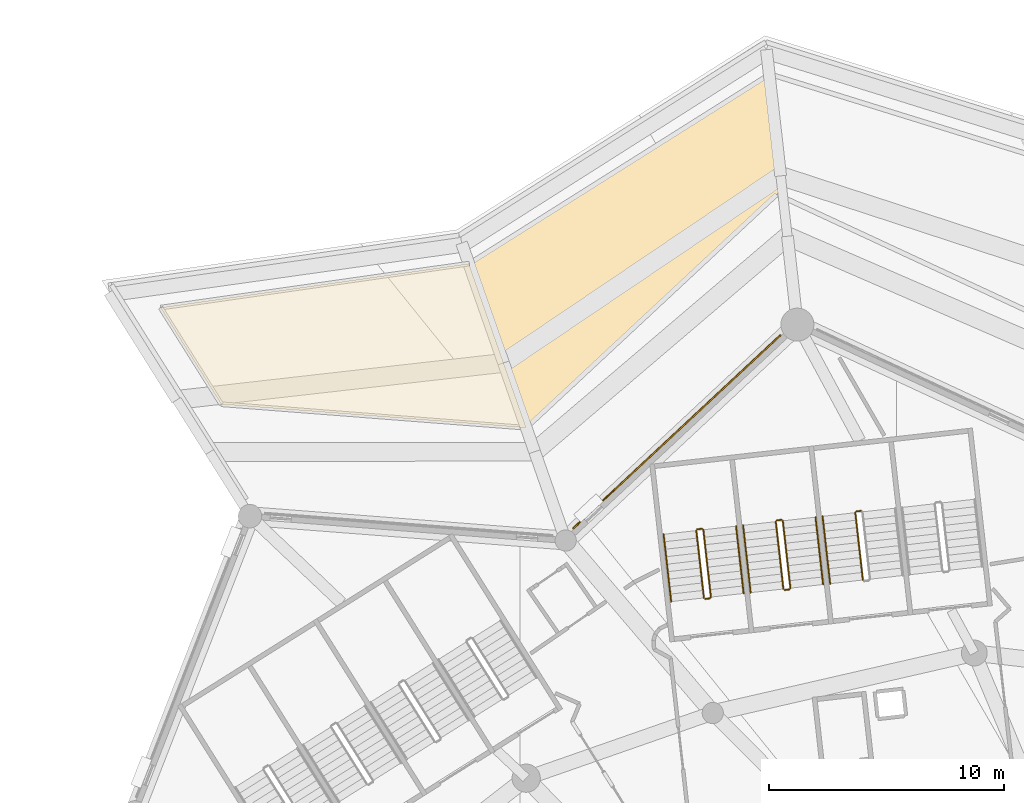
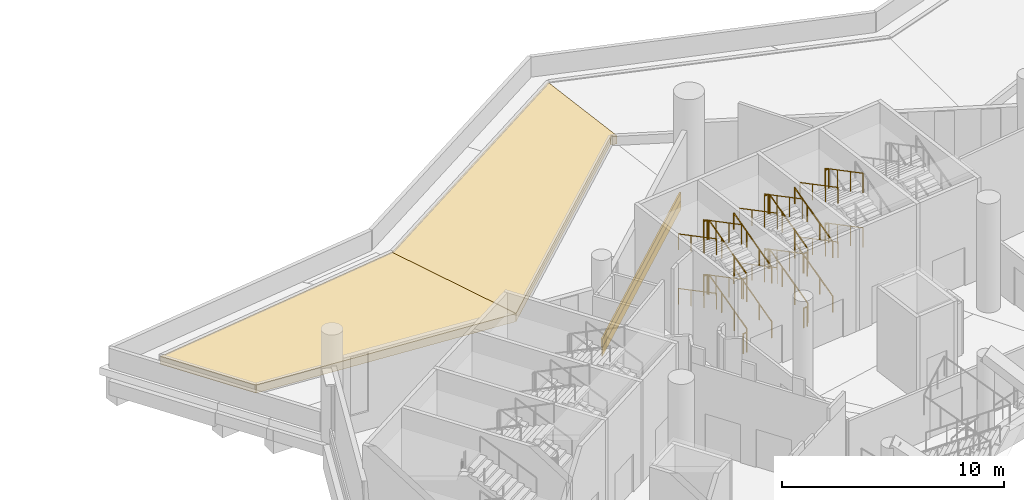
# One storey, part 153 of 173: 30 railings, 4 coverings.
"""IFC4 building model written with IfcOpenShell, lengths in metres."""

from ifc_helpers import new_model, si_unit, direction, frame, origin, origin_2d, place, context, subcontext, project, spatial, polyline, rectangle, circle, outline, extrude, material, layer, layer_set, type_object, element, save


model = new_model("IFC4")

# Units and contexts
model_context = context("Model", 3, precision=1e-05, world=origin(), true_north=direction((0.0, 1.0)))
body_context = subcontext(model_context, "Body", "Model", "MODEL_VIEW")
ifc_project = project(units=[si_unit("LENGTHUNIT", "METRE"), si_unit("AREAUNIT", "SQUARE_METRE"), si_unit("VOLUMEUNIT", "CUBIC_METRE"), si_unit("PLANEANGLEUNIT", "RADIAN"), si_unit("MASSUNIT", "GRAM", prefix="KILO")], contexts=[model_context])

# Site, building, storey
site_placement = place(None, origin())
site = spatial("IfcSite", under=ifc_project, at=site_placement, CompositionType="ELEMENT")
building_placement = place(site_placement, origin())
building = spatial("IfcBuilding", under=site, at=building_placement, Name="Meseta Stadium", CompositionType="ELEMENT")
storey_placement = place(building_placement, frame((0.0, 0.0, 18.0)))
storey = spatial("IfcBuildingStorey", under=building, at=storey_placement, Name="L03", CompositionType="ELEMENT", Elevation=18.0)

# Coverings
ifc_material_1 = material(Name="Guadarrama granite cladding", Category="masonry")
ifc_layer_1 = layer(ifc_material_1, 0.06005859375)
ifc_layer_set_1 = layer_set([ifc_layer_1], Name="Granite plinth cladding 60")
covering_type_1 = type_object("IfcCoveringType", Name="Granite plinth cladding 60", PredefinedType="CLADDING", material=ifc_layer_set_1)
covering_1_placement = place(storey_placement, frame((-57.32421875, 100.490478515625, 0.0), z_axis=(0.0, 0.0, 1.0), x_axis=(0.731545312925, 0.681792824206, 0.0)))
element("IfcCovering", 1, at=covering_1_placement, inside=storey, type_object=covering_type_1, Name="Granite plinth L03 F22", PredefinedType="CLADDING", context=body_context, shape_type="SweptSolid", body=[
    extrude(rectangle(XDim=12.07421875, YDim=0.06005859375, at=origin_2d()), origin(), (0.0, 0.0, 1.0), 0.5),
])
ifc_material_2 = material(Name="Planting soil")
ifc_layer_2 = layer(ifc_material_2, 0.449951171875)
ifc_layer_set_2 = layer_set([ifc_layer_2], Name="Planting soil 450")
covering_type_2 = type_object("IfcCoveringType", Name="Planting soil 450", PredefinedType="FLOORING", material=ifc_layer_set_2)
covering_2_placement = place(storey_placement, origin())
element("IfcCovering", 2, at=covering_2_placement, inside=storey, type_object=covering_type_2, Name="Roof garden planting bed 3.1 panel 01", PredefinedType="FLOORING", context=body_context, shape_type="SweptSolid", body=[
    extrude(outline(polyline([(-63.728759765625, 100.666015625), (-66.17041015625, 107.64404296875), (-79.2734375, 105.773681640625), (-76.692626953125, 101.666259765625), (-63.728759765625, 100.666015625)])), origin(), (0.0, 0.0, 1.0), 0.449951171875),
])
covering_3_placement = place(storey_placement, origin())
element("IfcCovering", 3, at=covering_3_placement, inside=storey, type_object=covering_type_2, Name="Roof garden planting bed 3.1 panel 02", PredefinedType="FLOORING", context=body_context, shape_type="SweptSolid", body=[
    extrude(outline(polyline([(-66.17041015625, 107.64404296875), (-63.728759765625, 100.666015625), (-53.081787109375, 110.589111328125), (-52.8125, 110.4638671875), (-53.400390625, 115.67919921875), (-66.146484375, 107.6474609375), (-66.17041015625, 107.64404296875)])), origin(), (0.0, 0.0, 1.0), 0.449951171875),
])

# Railings
ifc_material_3 = material(Name="Steel S355", Category="steel")
railing_type_1 = type_object("IfcRailingType", Name="Stair guard 1100", PredefinedType="GUARDRAIL", material=ifc_material_3)
railing_1_placement = place(storey_placement, frame((-49.49951171875, 97.134521484375, 1.5)))
element("IfcRailing", 4, at=railing_1_placement, inside=storey, type_object=railing_type_1, Name="ST46 L03 guard 2", PredefinedType="GUARDRAIL", context=body_context, shape_type="SweptSolid", body=[
    extrude(circle(Radius=0.02392578125, at=origin_2d()), frame((0.0, 0.0, 1.076171875), z_axis=(-0.993673547442, -0.112307083986, 0.0), x_axis=(0.112307083986, -0.993673547442, 0.0)), (0.0, 0.0, 1.0), 0.199951171875),
    extrude(circle(Radius=0.02099609375, at=origin_2d()), origin(), (0.0, 0.0, 1.0), 1.052001953125),
    extrude(circle(Radius=0.02099609375, at=origin_2d()), frame((-0.19873046875, -0.0224609375, 0.0)), (0.0, 0.0, 1.0), 1.052001953125),
])
railing_2_placement = place(storey_placement, frame((-49.7421875, 97.056884765625, 1.64990234375)))
element("IfcRailing", 5, at=railing_2_placement, inside=storey, type_object=railing_type_1, Name="ST46 L03 guard 3", PredefinedType="GUARDRAIL", context=body_context, shape_type="SweptSolid", body=[
    extrude(circle(Radius=0.02392578125, at=origin_2d()), frame((0.0, 0.0, 1.076171875), z_axis=(0.10139626197, -0.899747905232, 0.424467319223), x_axis=(0.993709872468, 0.111985219376, 0.0)), (0.0, 0.0, 1.0), 3.1806640625),
    extrude(circle(Radius=0.02099609375, at=origin_2d()), origin(), (0.0, 0.0, 1.0), 1.052001953125),
    extrude(circle(Radius=0.02099609375, at=origin_2d()), frame((0.107421875, -0.953857421875, 0.449951171875)), (0.0, 0.0, 1.0), 1.052001953125),
    extrude(circle(Radius=0.02099609375, at=origin_2d()), frame((0.215087890625, -1.907958984375, 0.900146484375)), (0.0, 0.0, 1.0), 1.052001953125),
    extrude(circle(Radius=0.02099609375, at=origin_2d()), frame((0.322509765625, -2.86181640625, 1.35009765625)), (0.0, 0.0, 1.0), 1.052001953125),
])
railing_3_placement = place(storey_placement, frame((-49.49951171875, 97.134521484375, 4.5)))
element("IfcRailing", 6, at=railing_3_placement, inside=storey, type_object=railing_type_1, Name="ST46 L03 guard 6", PredefinedType="GUARDRAIL", context=body_context, shape_type="SweptSolid", body=[
    extrude(circle(Radius=0.02392578125, at=origin_2d()), frame((0.0, 0.0, 1.076171875), z_axis=(-0.993673547442, -0.112307083986, 0.0), x_axis=(0.112307083986, -0.993673547442, 0.0)), (0.0, 0.0, 1.0), 0.199951171875),
    extrude(circle(Radius=0.02099609375, at=origin_2d()), origin(), (0.0, 0.0, 1.0), 1.052001953125),
    extrude(circle(Radius=0.02099609375, at=origin_2d()), frame((-0.19873046875, -0.0224609375, 0.0)), (0.0, 0.0, 1.0), 1.052001953125),
])
railing_4_placement = place(storey_placement, frame((-49.7421875, 97.056884765625, 4.64990234375)))
element("IfcRailing", 7, at=railing_4_placement, inside=storey, type_object=railing_type_1, Name="ST46 L03 guard 7", PredefinedType="GUARDRAIL", context=body_context, shape_type="SweptSolid", body=[
    extrude(circle(Radius=0.02392578125, at=origin_2d()), frame((0.0, 0.0, 1.076171875), z_axis=(0.10139626197, -0.899747905232, 0.424467319223), x_axis=(0.993709872468, 0.111985219376, 0.0)), (0.0, 0.0, 1.0), 3.1806640625),
    extrude(circle(Radius=0.02099609375, at=origin_2d()), origin(), (0.0, 0.0, 1.0), 1.052001953125),
    extrude(circle(Radius=0.02099609375, at=origin_2d()), frame((0.107421875, -0.953857421875, 0.449951171875)), (0.0, 0.0, 1.0), 1.052001953125),
    extrude(circle(Radius=0.02099609375, at=origin_2d()), frame((0.215087890625, -1.907958984375, 0.900146484375)), (0.0, 0.0, 1.0), 1.052001953125),
    extrude(circle(Radius=0.02099609375, at=origin_2d()), frame((0.322509765625, -2.86181640625, 1.35009765625)), (0.0, 0.0, 1.0), 1.052001953125),
])
railing_5_placement = place(storey_placement, frame((-52.500244140625, 93.847900390625, 0.14990234375)))
element("IfcRailing", 8, at=railing_5_placement, inside=storey, type_object=railing_type_1, Name="ST47 L03 guard 1", PredefinedType="GUARDRAIL", context=body_context, shape_type="SweptSolid", body=[
    extrude(circle(Radius=0.02392578125, at=origin_2d()), frame((0.0, 0.0, 1.076171875), z_axis=(-0.10139626197, 0.899747905232, 0.424467319223), x_axis=(-0.993709872468, -0.111985219376, 0.0)), (0.0, 0.0, 1.0), 3.1806640625),
    extrude(circle(Radius=0.02099609375, at=origin_2d()), origin(), (0.0, 0.0, 1.0), 1.052001953125),
    extrude(circle(Radius=0.02099609375, at=origin_2d()), frame((-0.107421875, 0.953857421875, 0.449951171875)), (0.0, 0.0, 1.0), 1.052001953125),
    extrude(circle(Radius=0.02099609375, at=origin_2d()), frame((-0.215087890625, 1.907958984375, 0.900146484375)), (0.0, 0.0, 1.0), 1.052001953125),
    extrude(circle(Radius=0.02099609375, at=origin_2d()), frame((-0.322509765625, 2.86181640625, 1.35009765625)), (0.0, 0.0, 1.0), 1.052001953125),
])
railing_6_placement = place(storey_placement, frame((-52.8779296875, 96.75390625, 1.5)))
element("IfcRailing", 9, at=railing_6_placement, inside=storey, type_object=railing_type_1, Name="ST47 L03 guard 2", PredefinedType="GUARDRAIL", context=body_context, shape_type="SweptSolid", body=[
    extrude(circle(Radius=0.02392578125, at=origin_2d()), frame((0.0, 0.0, 1.076171875), z_axis=(-0.993673547442, -0.112307083986, 0.0), x_axis=(0.112307083986, -0.993673547442, 0.0)), (0.0, 0.0, 1.0), 0.199951171875),
    extrude(circle(Radius=0.02099609375, at=origin_2d()), origin(), (0.0, 0.0, 1.0), 1.052001953125),
    extrude(circle(Radius=0.02099609375, at=origin_2d()), frame((-0.19873046875, -0.0224609375, 0.0)), (0.0, 0.0, 1.0), 1.052001953125),
])
railing_7_placement = place(storey_placement, frame((-53.120849609375, 96.67626953125, 1.64990234375)))
element("IfcRailing", 10, at=railing_7_placement, inside=storey, type_object=railing_type_1, Name="ST47 L03 guard 3", PredefinedType="GUARDRAIL", context=body_context, shape_type="SweptSolid", body=[
    extrude(circle(Radius=0.02392578125, at=origin_2d()), frame((0.0, 0.0, 1.076171875), z_axis=(0.101389259755, -0.899762522411, 0.424438006392), x_axis=(0.993710935447, 0.11197578655, 0.0)), (0.0, 0.0, 1.0), 3.180908203125),
    extrude(circle(Radius=0.02099609375, at=origin_2d()), origin(), (0.0, 0.0, 1.0), 1.052001953125),
    extrude(circle(Radius=0.02099609375, at=origin_2d()), frame((0.107421875, -0.9541015625, 0.449951171875)), (0.0, 0.0, 1.0), 1.052001953125),
    extrude(circle(Radius=0.02099609375, at=origin_2d()), frame((0.215087890625, -1.907958984375, 0.900146484375)), (0.0, 0.0, 1.0), 1.052001953125),
    extrude(circle(Radius=0.02099609375, at=origin_2d()), frame((0.322509765625, -2.862060546875, 1.35009765625)), (0.0, 0.0, 1.0), 1.052001953125),
])
railing_8_placement = place(storey_placement, frame((-52.54443359375, 93.792724609375, 3.0)))
element("IfcRailing", 11, at=railing_8_placement, inside=storey, type_object=railing_type_1, Name="ST47 L03 guard 4", PredefinedType="GUARDRAIL", context=body_context, shape_type="SweptSolid", body=[
    extrude(circle(Radius=0.02392578125, at=origin_2d()), frame((0.0, 0.0, 1.076171875), z_axis=(-0.993673547442, -0.112307083986, 0.0), x_axis=(0.112307083986, -0.993673547442, 0.0)), (0.0, 0.0, 1.0), 0.199951171875),
    extrude(circle(Radius=0.02099609375, at=origin_2d()), origin(), (0.0, 0.0, 1.0), 1.052001953125),
    extrude(circle(Radius=0.02099609375, at=origin_2d()), frame((-0.19873046875, -0.0224609375, 0.0)), (0.0, 0.0, 1.0), 1.052001953125),
])
railing_9_placement = place(storey_placement, frame((-52.500244140625, 93.847900390625, 3.14990234375)))
element("IfcRailing", 12, at=railing_9_placement, inside=storey, type_object=railing_type_1, Name="ST47 L03 guard 5", PredefinedType="GUARDRAIL", context=body_context, shape_type="SweptSolid", body=[
    extrude(circle(Radius=0.02392578125, at=origin_2d()), frame((0.0, 0.0, 1.076171875), z_axis=(-0.10139626197, 0.899747905232, 0.424467319223), x_axis=(-0.993709872468, -0.111985219376, 0.0)), (0.0, 0.0, 1.0), 3.1806640625),
    extrude(circle(Radius=0.02099609375, at=origin_2d()), origin(), (0.0, 0.0, 1.0), 1.052001953125),
    extrude(circle(Radius=0.02099609375, at=origin_2d()), frame((-0.107421875, 0.953857421875, 0.449951171875)), (0.0, 0.0, 1.0), 1.052001953125),
    extrude(circle(Radius=0.02099609375, at=origin_2d()), frame((-0.215087890625, 1.907958984375, 0.900146484375)), (0.0, 0.0, 1.0), 1.052001953125),
    extrude(circle(Radius=0.02099609375, at=origin_2d()), frame((-0.322509765625, 2.86181640625, 1.35009765625)), (0.0, 0.0, 1.0), 1.052001953125),
])
railing_10_placement = place(storey_placement, frame((-52.8779296875, 96.75390625, 4.5)))
element("IfcRailing", 13, at=railing_10_placement, inside=storey, type_object=railing_type_1, Name="ST47 L03 guard 6", PredefinedType="GUARDRAIL", context=body_context, shape_type="SweptSolid", body=[
    extrude(circle(Radius=0.02392578125, at=origin_2d()), frame((0.0, 0.0, 1.076171875), z_axis=(-0.993673547442, -0.112307083986, 0.0), x_axis=(0.112307083986, -0.993673547442, 0.0)), (0.0, 0.0, 1.0), 0.199951171875),
    extrude(circle(Radius=0.02099609375, at=origin_2d()), origin(), (0.0, 0.0, 1.0), 1.052001953125),
    extrude(circle(Radius=0.02099609375, at=origin_2d()), frame((-0.19873046875, -0.0224609375, 0.0)), (0.0, 0.0, 1.0), 1.052001953125),
])
railing_11_placement = place(storey_placement, frame((-53.120849609375, 96.67626953125, 4.64990234375)))
element("IfcRailing", 14, at=railing_11_placement, inside=storey, type_object=railing_type_1, Name="ST47 L03 guard 7", PredefinedType="GUARDRAIL", context=body_context, shape_type="SweptSolid", body=[
    extrude(circle(Radius=0.02392578125, at=origin_2d()), frame((0.0, 0.0, 1.076171875), z_axis=(0.101389259755, -0.899762522411, 0.424438006392), x_axis=(0.993710935447, 0.11197578655, 0.0)), (0.0, 0.0, 1.0), 3.180908203125),
    extrude(circle(Radius=0.02099609375, at=origin_2d()), origin(), (0.0, 0.0, 1.0), 1.052001953125),
    extrude(circle(Radius=0.02099609375, at=origin_2d()), frame((0.107421875, -0.9541015625, 0.449951171875)), (0.0, 0.0, 1.0), 1.052001953125),
    extrude(circle(Radius=0.02099609375, at=origin_2d()), frame((0.215087890625, -1.907958984375, 0.900146484375)), (0.0, 0.0, 1.0), 1.052001953125),
    extrude(circle(Radius=0.02099609375, at=origin_2d()), frame((0.322509765625, -2.862060546875, 1.35009765625)), (0.0, 0.0, 1.0), 1.052001953125),
])
railing_12_placement = place(storey_placement, frame((-52.54443359375, 93.792724609375, 0.0)))
element("IfcRailing", 15, at=railing_12_placement, inside=storey, type_object=railing_type_1, Name="ST47 L03 guard 8", PredefinedType="GUARDRAIL", context=body_context, shape_type="SweptSolid", body=[
    extrude(circle(Radius=0.02392578125, at=origin_2d()), frame((0.0, 0.0, 1.076171875), z_axis=(-0.993673547442, -0.112307083986, 0.0), x_axis=(0.112307083986, -0.993673547442, 0.0)), (0.0, 0.0, 1.0), 0.199951171875),
    extrude(circle(Radius=0.02099609375, at=origin_2d()), origin(), (0.0, 0.0, 1.0), 1.052001953125),
    extrude(circle(Radius=0.02099609375, at=origin_2d()), frame((-0.19873046875, -0.0224609375, 0.0)), (0.0, 0.0, 1.0), 1.052001953125),
])
railing_13_placement = place(storey_placement, frame((-55.87890625, 93.46728515625, 0.14990234375)))
element("IfcRailing", 16, at=railing_13_placement, inside=storey, type_object=railing_type_1, Name="ST48 L03 guard 1", PredefinedType="GUARDRAIL", context=body_context, shape_type="SweptSolid", body=[
    extrude(circle(Radius=0.02392578125, at=origin_2d()), frame((0.0, 0.0, 1.076171875), z_axis=(-0.10139626197, 0.899747905232, 0.424467319223), x_axis=(-0.993709872468, -0.111985219376, 0.0)), (0.0, 0.0, 1.0), 3.1806640625),
    extrude(circle(Radius=0.02099609375, at=origin_2d()), origin(), (0.0, 0.0, 1.0), 1.052001953125),
    extrude(circle(Radius=0.02099609375, at=origin_2d()), frame((-0.107421875, 0.953857421875, 0.449951171875)), (0.0, 0.0, 1.0), 1.052001953125),
    extrude(circle(Radius=0.02099609375, at=origin_2d()), frame((-0.215087890625, 1.907958984375, 0.900146484375)), (0.0, 0.0, 1.0), 1.052001953125),
    extrude(circle(Radius=0.02099609375, at=origin_2d()), frame((-0.322509765625, 2.86181640625, 1.35009765625)), (0.0, 0.0, 1.0), 1.052001953125),
])
railing_14_placement = place(storey_placement, frame((-56.256591796875, 96.373291015625, 1.5)))
element("IfcRailing", 17, at=railing_14_placement, inside=storey, type_object=railing_type_1, Name="ST48 L03 guard 2", PredefinedType="GUARDRAIL", context=body_context, shape_type="SweptSolid", body=[
    extrude(circle(Radius=0.02392578125, at=origin_2d()), frame((0.0, 0.0, 1.076171875), z_axis=(-0.993673547442, -0.112307083986, 0.0), x_axis=(0.112307083986, -0.993673547442, 0.0)), (0.0, 0.0, 1.0), 0.199951171875),
    extrude(circle(Radius=0.02099609375, at=origin_2d()), origin(), (0.0, 0.0, 1.0), 1.052001953125),
    extrude(circle(Radius=0.02099609375, at=origin_2d()), frame((-0.19873046875, -0.0224609375, 0.0)), (0.0, 0.0, 1.0), 1.052001953125),
])
railing_15_placement = place(storey_placement, frame((-56.49951171875, 96.29541015625, 1.64990234375)))
element("IfcRailing", 18, at=railing_15_placement, inside=storey, type_object=railing_type_1, Name="ST48 L03 guard 3", PredefinedType="GUARDRAIL", context=body_context, shape_type="SweptSolid", body=[
    extrude(circle(Radius=0.02392578125, at=origin_2d()), frame((0.0, 0.0, 1.076171875), z_axis=(0.10139626197, -0.899747905232, 0.424467319223), x_axis=(0.993709872468, 0.111985219376, 0.0)), (0.0, 0.0, 1.0), 3.1806640625),
    extrude(circle(Radius=0.02099609375, at=origin_2d()), origin(), (0.0, 0.0, 1.0), 1.052001953125),
    extrude(circle(Radius=0.02099609375, at=origin_2d()), frame((0.107421875, -0.953857421875, 0.449951171875)), (0.0, 0.0, 1.0), 1.052001953125),
    extrude(circle(Radius=0.02099609375, at=origin_2d()), frame((0.215087890625, -1.907958984375, 0.900146484375)), (0.0, 0.0, 1.0), 1.052001953125),
    extrude(circle(Radius=0.02099609375, at=origin_2d()), frame((0.322509765625, -2.86181640625, 1.35009765625)), (0.0, 0.0, 1.0), 1.052001953125),
])
railing_16_placement = place(storey_placement, frame((-55.923095703125, 93.411865234375, 3.0)))
element("IfcRailing", 19, at=railing_16_placement, inside=storey, type_object=railing_type_1, Name="ST48 L03 guard 4", PredefinedType="GUARDRAIL", context=body_context, shape_type="SweptSolid", body=[
    extrude(circle(Radius=0.02392578125, at=origin_2d()), frame((0.0, 0.0, 1.076171875), z_axis=(-0.993809063983, -0.111101504696, 0.0), x_axis=(0.111101504696, -0.993809063983, 0.0)), (0.0, 0.0, 1.0), 0.199951171875),
    extrude(circle(Radius=0.02099609375, at=origin_2d()), origin(), (0.0, 0.0, 1.0), 1.052001953125),
    extrude(circle(Radius=0.02099609375, at=origin_2d()), frame((-0.19873046875, -0.022216796875, 0.0)), (0.0, 0.0, 1.0), 1.052001953125),
])
railing_17_placement = place(storey_placement, frame((-55.87890625, 93.46728515625, 3.14990234375)))
element("IfcRailing", 20, at=railing_17_placement, inside=storey, type_object=railing_type_1, Name="ST48 L03 guard 5", PredefinedType="GUARDRAIL", context=body_context, shape_type="SweptSolid", body=[
    extrude(circle(Radius=0.02392578125, at=origin_2d()), frame((0.0, 0.0, 1.076171875), z_axis=(-0.10139626197, 0.899747905232, 0.424467319223), x_axis=(-0.993709872468, -0.111985219376, 0.0)), (0.0, 0.0, 1.0), 3.1806640625),
    extrude(circle(Radius=0.02099609375, at=origin_2d()), origin(), (0.0, 0.0, 1.0), 1.052001953125),
    extrude(circle(Radius=0.02099609375, at=origin_2d()), frame((-0.107421875, 0.953857421875, 0.449951171875)), (0.0, 0.0, 1.0), 1.052001953125),
    extrude(circle(Radius=0.02099609375, at=origin_2d()), frame((-0.215087890625, 1.907958984375, 0.900146484375)), (0.0, 0.0, 1.0), 1.052001953125),
    extrude(circle(Radius=0.02099609375, at=origin_2d()), frame((-0.322509765625, 2.86181640625, 1.35009765625)), (0.0, 0.0, 1.0), 1.052001953125),
])
railing_18_placement = place(storey_placement, frame((-56.256591796875, 96.373291015625, 4.5)))
element("IfcRailing", 21, at=railing_18_placement, inside=storey, type_object=railing_type_1, Name="ST48 L03 guard 6", PredefinedType="GUARDRAIL", context=body_context, shape_type="SweptSolid", body=[
    extrude(circle(Radius=0.02392578125, at=origin_2d()), frame((0.0, 0.0, 1.076171875), z_axis=(-0.993673547442, -0.112307083986, 0.0), x_axis=(0.112307083986, -0.993673547442, 0.0)), (0.0, 0.0, 1.0), 0.199951171875),
    extrude(circle(Radius=0.02099609375, at=origin_2d()), origin(), (0.0, 0.0, 1.0), 1.052001953125),
    extrude(circle(Radius=0.02099609375, at=origin_2d()), frame((-0.19873046875, -0.0224609375, 0.0)), (0.0, 0.0, 1.0), 1.052001953125),
])
railing_19_placement = place(storey_placement, frame((-56.49951171875, 96.29541015625, 4.64990234375)))
element("IfcRailing", 22, at=railing_19_placement, inside=storey, type_object=railing_type_1, Name="ST48 L03 guard 7", PredefinedType="GUARDRAIL", context=body_context, shape_type="SweptSolid", body=[
    extrude(circle(Radius=0.02392578125, at=origin_2d()), frame((0.0, 0.0, 1.076171875), z_axis=(0.10139626197, -0.899747905232, 0.424467319223), x_axis=(0.993709872468, 0.111985219376, 0.0)), (0.0, 0.0, 1.0), 3.1806640625),
    extrude(circle(Radius=0.02099609375, at=origin_2d()), origin(), (0.0, 0.0, 1.0), 1.052001953125),
    extrude(circle(Radius=0.02099609375, at=origin_2d()), frame((0.107421875, -0.953857421875, 0.449951171875)), (0.0, 0.0, 1.0), 1.052001953125),
    extrude(circle(Radius=0.02099609375, at=origin_2d()), frame((0.215087890625, -1.907958984375, 0.900146484375)), (0.0, 0.0, 1.0), 1.052001953125),
    extrude(circle(Radius=0.02099609375, at=origin_2d()), frame((0.322509765625, -2.86181640625, 1.35009765625)), (0.0, 0.0, 1.0), 1.052001953125),
])
railing_20_placement = place(storey_placement, frame((-55.923095703125, 93.411865234375, 0.0)))
element("IfcRailing", 23, at=railing_20_placement, inside=storey, type_object=railing_type_1, Name="ST48 L03 guard 8", PredefinedType="GUARDRAIL", context=body_context, shape_type="SweptSolid", body=[
    extrude(circle(Radius=0.02392578125, at=origin_2d()), frame((0.0, 0.0, 1.076171875), z_axis=(-0.993809063983, -0.111101504696, 0.0), x_axis=(0.111101504696, -0.993809063983, 0.0)), (0.0, 0.0, 1.0), 0.199951171875),
    extrude(circle(Radius=0.02099609375, at=origin_2d()), origin(), (0.0, 0.0, 1.0), 1.052001953125),
    extrude(circle(Radius=0.02099609375, at=origin_2d()), frame((-0.19873046875, -0.022216796875, 0.0)), (0.0, 0.0, 1.0), 1.052001953125),
])
ifc_material_4 = material(Name="Steel S355", Category="steel")
railing_type_2 = type_object("IfcRailingType", Name="Stair handrail 900", PredefinedType="HANDRAIL", material=ifc_material_4)
for number, where, name in (
    (24, (-51.133544921875, 96.900146484375, 1.64990234375), "ST46 L03 handrail 2"),
    (25, (-51.133544921875, 96.900146484375, 4.64990234375), "ST46 L03 handrail 4"),
):
    element("IfcRailing", number, at=place(storey_placement, frame(where)), inside=storey, type_object=railing_type_2, Name=name, PredefinedType="HANDRAIL", context=body_context, shape_type="SweptSolid", body=[
        extrude(circle(Radius=0.02392578125, at=origin_2d()), frame((0.0, 0.0, 0.8759765625), z_axis=(0.10139626197, -0.899747905232, 0.424467319223), x_axis=(0.993709872468, 0.111985219376, 0.0)), (0.0, 0.0, 1.0), 3.1806640625),
        extrude(circle(Radius=0.02099609375, at=origin_2d()), origin(), (0.0, 0.0, 1.0), 0.851806640625),
        extrude(circle(Radius=0.02099609375, at=origin_2d()), frame((0.107421875, -0.953857421875, 0.449951171875)), (0.0, 0.0, 1.0), 0.851806640625),
        extrude(circle(Radius=0.02099609375, at=origin_2d()), frame((0.215087890625, -1.907958984375, 0.900146484375)), (0.0, 0.0, 1.0), 0.851806640625),
        extrude(circle(Radius=0.02099609375, at=origin_2d()), frame((0.322509765625, -2.86181640625, 1.35009765625)), (0.0, 0.0, 1.0), 0.851806640625),
    ])
railing_21_placement = place(storey_placement, frame((-51.109130859375, 94.004638671875, 0.14990234375)))
element("IfcRailing", 26, at=railing_21_placement, inside=storey, type_object=railing_type_2, Name="ST47 L03 handrail 1", PredefinedType="HANDRAIL", context=body_context, shape_type="SweptSolid", body=[
    extrude(circle(Radius=0.02392578125, at=origin_2d()), frame((0.0, 0.0, 0.8759765625), z_axis=(-0.10139626197, 0.899747905232, 0.424467319223), x_axis=(-0.993709872468, -0.111985219376, 0.0)), (0.0, 0.0, 1.0), 3.1806640625),
    extrude(circle(Radius=0.02099609375, at=origin_2d()), origin(), (0.0, 0.0, 1.0), 0.851806640625),
    extrude(circle(Radius=0.02099609375, at=origin_2d()), frame((-0.107421875, 0.953857421875, 0.449951171875)), (0.0, 0.0, 1.0), 0.851806640625),
    extrude(circle(Radius=0.02099609375, at=origin_2d()), frame((-0.215087890625, 1.907958984375, 0.900146484375)), (0.0, 0.0, 1.0), 0.851806640625),
    extrude(circle(Radius=0.02099609375, at=origin_2d()), frame((-0.322509765625, 2.86181640625, 1.35009765625)), (0.0, 0.0, 1.0), 0.851806640625),
])
railing_22_placement = place(storey_placement, frame((-54.511962890625, 96.51953125, 1.64990234375)))
element("IfcRailing", 27, at=railing_22_placement, inside=storey, type_object=railing_type_2, Name="ST47 L03 handrail 2", PredefinedType="HANDRAIL", context=body_context, shape_type="SweptSolid", body=[
    extrude(circle(Radius=0.02392578125, at=origin_2d()), frame((0.0, 0.0, 0.8759765625), z_axis=(0.101313295961, -0.899769521631, 0.42444130808), x_axis=(0.993720364048, 0.111892082278, 0.0)), (0.0, 0.0, 1.0), 3.180908203125),
    extrude(circle(Radius=0.02099609375, at=origin_2d()), origin(), (0.0, 0.0, 1.0), 0.851806640625),
    extrude(circle(Radius=0.02099609375, at=origin_2d()), frame((0.107421875, -0.9541015625, 0.449951171875)), (0.0, 0.0, 1.0), 0.851806640625),
    extrude(circle(Radius=0.02099609375, at=origin_2d()), frame((0.21484375, -1.907958984375, 0.900146484375)), (0.0, 0.0, 1.0), 0.851806640625),
    extrude(circle(Radius=0.02099609375, at=origin_2d()), frame((0.322265625, -2.862060546875, 1.35009765625)), (0.0, 0.0, 1.0), 0.851806640625),
])
railing_23_placement = place(storey_placement, frame((-51.109130859375, 94.004638671875, 3.14990234375)))
element("IfcRailing", 28, at=railing_23_placement, inside=storey, type_object=railing_type_2, Name="ST47 L03 handrail 3", PredefinedType="HANDRAIL", context=body_context, shape_type="SweptSolid", body=[
    extrude(circle(Radius=0.02392578125, at=origin_2d()), frame((0.0, 0.0, 0.8759765625), z_axis=(-0.10139626197, 0.899747905232, 0.424467319223), x_axis=(-0.993709872468, -0.111985219376, 0.0)), (0.0, 0.0, 1.0), 3.1806640625),
    extrude(circle(Radius=0.02099609375, at=origin_2d()), origin(), (0.0, 0.0, 1.0), 0.851806640625),
    extrude(circle(Radius=0.02099609375, at=origin_2d()), frame((-0.107421875, 0.953857421875, 0.449951171875)), (0.0, 0.0, 1.0), 0.851806640625),
    extrude(circle(Radius=0.02099609375, at=origin_2d()), frame((-0.215087890625, 1.907958984375, 0.900146484375)), (0.0, 0.0, 1.0), 0.851806640625),
    extrude(circle(Radius=0.02099609375, at=origin_2d()), frame((-0.322509765625, 2.86181640625, 1.35009765625)), (0.0, 0.0, 1.0), 0.851806640625),
])
railing_24_placement = place(storey_placement, frame((-54.511962890625, 96.51953125, 4.64990234375)))
element("IfcRailing", 29, at=railing_24_placement, inside=storey, type_object=railing_type_2, Name="ST47 L03 handrail 4", PredefinedType="HANDRAIL", context=body_context, shape_type="SweptSolid", body=[
    extrude(circle(Radius=0.02392578125, at=origin_2d()), frame((0.0, 0.0, 0.8759765625), z_axis=(0.101313295961, -0.899769521631, 0.42444130808), x_axis=(0.993720364048, 0.111892082278, 0.0)), (0.0, 0.0, 1.0), 3.180908203125),
    extrude(circle(Radius=0.02099609375, at=origin_2d()), origin(), (0.0, 0.0, 1.0), 0.851806640625),
    extrude(circle(Radius=0.02099609375, at=origin_2d()), frame((0.107421875, -0.9541015625, 0.449951171875)), (0.0, 0.0, 1.0), 0.851806640625),
    extrude(circle(Radius=0.02099609375, at=origin_2d()), frame((0.21484375, -1.907958984375, 0.900146484375)), (0.0, 0.0, 1.0), 0.851806640625),
    extrude(circle(Radius=0.02099609375, at=origin_2d()), frame((0.322265625, -2.862060546875, 1.35009765625)), (0.0, 0.0, 1.0), 0.851806640625),
])
railing_25_placement = place(storey_placement, frame((-54.48779296875, 93.6240234375, 0.14990234375)))
element("IfcRailing", 30, at=railing_25_placement, inside=storey, type_object=railing_type_2, Name="ST48 L03 handrail 1", PredefinedType="HANDRAIL", context=body_context, shape_type="SweptSolid", body=[
    extrude(circle(Radius=0.02392578125, at=origin_2d()), frame((0.0, 0.0, 0.8759765625), z_axis=(-0.101320293039, 0.899754905305, 0.424470621595), x_axis=(-0.993719302648, -0.111901508232, 0.0)), (0.0, 0.0, 1.0), 3.1806640625),
    extrude(circle(Radius=0.02099609375, at=origin_2d()), origin(), (0.0, 0.0, 1.0), 0.851806640625),
    extrude(circle(Radius=0.02099609375, at=origin_2d()), frame((-0.107421875, 0.953857421875, 0.449951171875)), (0.0, 0.0, 1.0), 0.851806640625),
    extrude(circle(Radius=0.02099609375, at=origin_2d()), frame((-0.21484375, 1.907958984375, 0.900146484375)), (0.0, 0.0, 1.0), 0.851806640625),
    extrude(circle(Radius=0.02099609375, at=origin_2d()), frame((-0.322265625, 2.86181640625, 1.35009765625)), (0.0, 0.0, 1.0), 0.851806640625),
])
railing_26_placement = place(storey_placement, frame((-57.890625, 96.138671875, 1.64990234375)))
element("IfcRailing", 31, at=railing_26_placement, inside=storey, type_object=railing_type_2, Name="ST48 L03 handrail 2", PredefinedType="HANDRAIL", context=body_context, shape_type="SweptSolid", body=[
    extrude(circle(Radius=0.02392578125, at=origin_2d()), frame((0.0, 0.0, 0.8759765625), z_axis=(0.10139626197, -0.899747905232, 0.424467319223), x_axis=(0.993709872468, 0.111985219376, 0.0)), (0.0, 0.0, 1.0), 3.1806640625),
    extrude(circle(Radius=0.02099609375, at=origin_2d()), origin(), (0.0, 0.0, 1.0), 0.851806640625),
    extrude(circle(Radius=0.02099609375, at=origin_2d()), frame((0.107421875, -0.953857421875, 0.449951171875)), (0.0, 0.0, 1.0), 0.851806640625),
    extrude(circle(Radius=0.02099609375, at=origin_2d()), frame((0.215087890625, -1.907958984375, 0.900146484375)), (0.0, 0.0, 1.0), 0.851806640625),
    extrude(circle(Radius=0.02099609375, at=origin_2d()), frame((0.322509765625, -2.86181640625, 1.35009765625)), (0.0, 0.0, 1.0), 0.851806640625),
])
railing_27_placement = place(storey_placement, frame((-54.48779296875, 93.6240234375, 3.14990234375)))
element("IfcRailing", 32, at=railing_27_placement, inside=storey, type_object=railing_type_2, Name="ST48 L03 handrail 3", PredefinedType="HANDRAIL", context=body_context, shape_type="SweptSolid", body=[
    extrude(circle(Radius=0.02392578125, at=origin_2d()), frame((0.0, 0.0, 0.8759765625), z_axis=(-0.101320293039, 0.899754905305, 0.424470621595), x_axis=(-0.993719302648, -0.111901508232, 0.0)), (0.0, 0.0, 1.0), 3.1806640625),
    extrude(circle(Radius=0.02099609375, at=origin_2d()), origin(), (0.0, 0.0, 1.0), 0.851806640625),
    extrude(circle(Radius=0.02099609375, at=origin_2d()), frame((-0.107421875, 0.953857421875, 0.449951171875)), (0.0, 0.0, 1.0), 0.851806640625),
    extrude(circle(Radius=0.02099609375, at=origin_2d()), frame((-0.21484375, 1.907958984375, 0.900146484375)), (0.0, 0.0, 1.0), 0.851806640625),
    extrude(circle(Radius=0.02099609375, at=origin_2d()), frame((-0.322265625, 2.86181640625, 1.35009765625)), (0.0, 0.0, 1.0), 0.851806640625),
])
railing_28_placement = place(storey_placement, frame((-57.890625, 96.138671875, 4.64990234375)))
element("IfcRailing", 33, at=railing_28_placement, inside=storey, type_object=railing_type_2, Name="ST48 L03 handrail 4", PredefinedType="HANDRAIL", context=body_context, shape_type="SweptSolid", body=[
    extrude(circle(Radius=0.02392578125, at=origin_2d()), frame((0.0, 0.0, 0.8759765625), z_axis=(0.10139626197, -0.899747905232, 0.424467319223), x_axis=(0.993709872468, 0.111985219376, 0.0)), (0.0, 0.0, 1.0), 3.1806640625),
    extrude(circle(Radius=0.02099609375, at=origin_2d()), origin(), (0.0, 0.0, 1.0), 0.851806640625),
    extrude(circle(Radius=0.02099609375, at=origin_2d()), frame((0.107421875, -0.953857421875, 0.449951171875)), (0.0, 0.0, 1.0), 0.851806640625),
    extrude(circle(Radius=0.02099609375, at=origin_2d()), frame((0.215087890625, -1.907958984375, 0.900146484375)), (0.0, 0.0, 1.0), 0.851806640625),
    extrude(circle(Radius=0.02099609375, at=origin_2d()), frame((0.322509765625, -2.86181640625, 1.35009765625)), (0.0, 0.0, 1.0), 0.851806640625),
])

# Covering
ifc_material_5 = material(Name="Precast concrete C40/50, terracotta pigment", Category="masonry")
ifc_layer_3 = layer(ifc_material_5, 0.080078125)
ifc_layer_set_3 = layer_set([ifc_layer_3], Name="Precast concrete C40/50, terracotta pigment")
covering_type_3 = type_object("IfcCoveringType", Name="Terracotta precast band 80", PredefinedType="CLADDING", material=ifc_layer_set_3)
covering_4_placement = place(storey_placement, frame((-57.3310546875, 100.497802734375, 0.5), z_axis=(0.0, 0.0, 1.0), x_axis=(0.731545312925, 0.681792824206, 0.0)))
element("IfcCovering", 34, at=covering_4_placement, inside=storey, type_object=covering_type_3, Name="Terracotta band L03 F22", PredefinedType="CLADDING", context=body_context, shape_type="SweptSolid", body=[
    extrude(rectangle(XDim=12.07421875, YDim=0.080078125, at=origin_2d()), origin(), (0.0, 0.0, 1.0), 0.449951171875),
])

save(model, "model.ifc")
